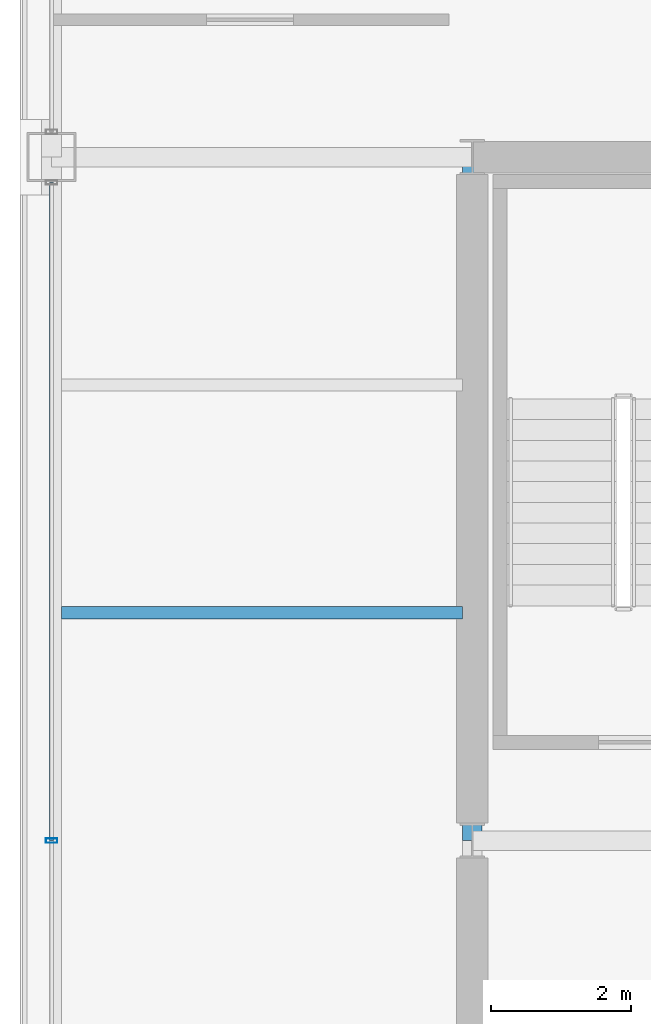
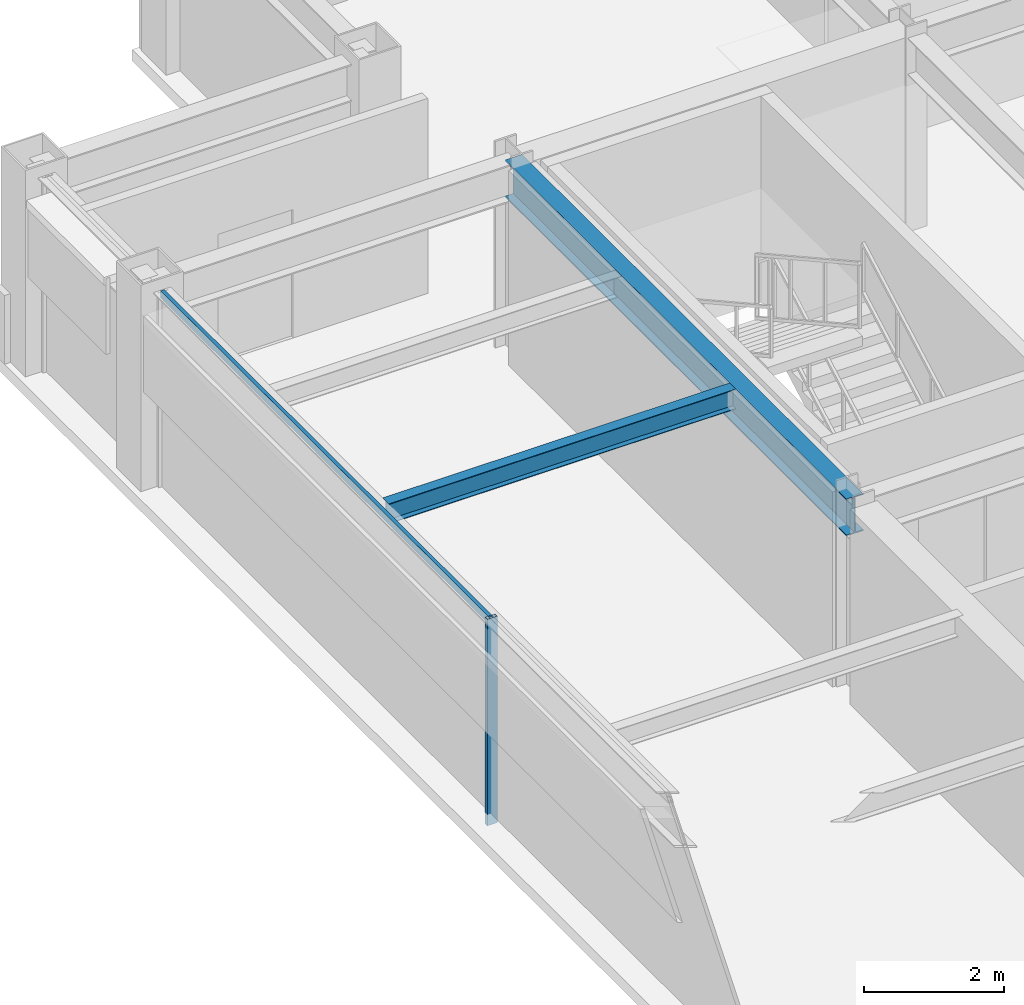
# One storey, part 8 of 30: 2 beams, 2 members, 1 element without a shape of its own.
"""IFC4 building model written with IfcOpenShell, lengths in metres."""

from ifc_helpers import new_model, si_unit, direction, frame, origin, origin_2d, place, context, subcontext, project, spatial, hollow_rectangle, i_section, extrude, material, layer, layer_set, material_profile, profile_set, type_object, element, aggregate, save


model = new_model("IFC4")

# Units and contexts
model_context = context("Model", 3, precision=1e-05, world=origin(), true_north=direction((0.0, 1.0)))
body_context = subcontext(model_context, "Body", "Model", "MODEL_VIEW")
ifc_project = project(units=[si_unit("LENGTHUNIT", "METRE"), si_unit("AREAUNIT", "SQUARE_METRE"), si_unit("VOLUMEUNIT", "CUBIC_METRE"), si_unit("PLANEANGLEUNIT", "RADIAN"), si_unit("MASSUNIT", "GRAM", prefix="KILO")], contexts=[model_context])

# Site, building, storey
site_placement = place(None, origin())
site = spatial("IfcSite", under=ifc_project, at=site_placement, CompositionType="ELEMENT")
building_placement = place(site_placement, origin())
building = spatial("IfcBuilding", under=site, at=building_placement, Name="Brelmoor Portico Tower", CompositionType="ELEMENT")
storey_placement = place(building_placement, frame((0.0, 0.0, 198.300048828125)))
storey = spatial("IfcBuildingStorey", under=building, at=storey_placement, Name="L52", CompositionType="ELEMENT", Elevation=198.300048828125)

# Beams
ifc_material_1 = material(Name="Steel Q355B", Category="steel")
ifc_material_profile_1 = material_profile(ifc_material_1, i_section(OverallWidth=0.175048828125, OverallDepth=0.35009765625, WebThickness=0.007080078125, FlangeThickness=0.010986328125, at=origin_2d()), Name="HN 350x175x7x11")
ifc_profile_set_1 = profile_set([ifc_material_profile_1], Name="Steel Q355B")
beam_type_1 = type_object("IfcBeamType", Name="BM-JS-350", PredefinedType="JOIST", material=ifc_profile_set_1)
beam_1_placement = place(storey_placement, frame((-20.409912109375, 3.25, 3.224853515625), z_axis=(1.0, 0.0, 0.0), x_axis=(0.0, 1.0, 0.0)))
element("IfcBeam", 1, at=beam_1_placement, inside=storey, type_object=beam_type_1, Name="L52 Secondary Wing Joist JS-W07", PredefinedType="JOIST", context=body_context, shape_type="SweptSolid", body=[
    extrude(i_section(OverallWidth=0.175048828125, OverallDepth=0.35009765625, WebThickness=0.007080078125, FlangeThickness=0.010986328125, at=origin_2d()), origin(), (0.0, 0.0, 1.0), 5.719970703125),
])
ifc_material_profile_2 = material_profile(ifc_material_1, i_section(OverallWidth=0.280029296875, OverallDepth=0.64990234375, WebThickness=0.012939453125, FlangeThickness=0.02197265625, at=origin_2d()), Name="HN 650x280x13x22")
ifc_profile_set_2 = profile_set([ifc_material_profile_2], Name="Steel Q355B")
beam_type_2 = type_object("IfcBeamType", Name="BM-PG-650", PredefinedType="BEAM", material=ifc_profile_set_2)
beam_2_placement = place(storey_placement, frame((-14.550048828125, 0.0, 3.074951171875), z_axis=(0.0, 1.0, 0.0), x_axis=(-1.0, 0.0, 0.0)))
element("IfcBeam", 2, at=beam_2_placement, inside=storey, type_object=beam_type_2, Name="L52 Primary Floor Girder PG-02", PredefinedType="BEAM", context=body_context, shape_type="SweptSolid", body=[
    extrude(i_section(OverallWidth=0.280029296875, OverallDepth=0.64990234375, WebThickness=0.012939453125, FlangeThickness=0.02197265625, at=origin_2d()), origin(), (0.0, 0.0, 1.0), 9.75),
])

# Curtain wall, members
ifc_material_2 = material(Name="Anodised Aluminium Alloy 6063-T6", Category="aluminium")
ifc_layer = layer(ifc_material_2, 0.179931640625)
ifc_layer_set = layer_set([ifc_layer], Name="Anodised Aluminium Alloy 6063-T6")
curtain_wall_type = type_object("IfcCurtainWallType", Name="CW-TOWER-Z3-XB", PredefinedType="NOTDEFINED", material=ifc_layer_set)
curtain_wall_placement = place(storey_placement, origin())
curtain_wall = element("IfcCurtainWall", 3, at=curtain_wall_placement, inside=storey, type_object=curtain_wall_type, Name="L52 Curtain Wall CW-L52-03-2", PredefinedType="NOTDEFINED")
ifc_material_profile_3 = material_profile(ifc_material_2, hollow_rectangle(XDim=0.06494140625, YDim=0.1650390625, WallThickness=0.00390625, at=origin_2d()), Name="ALU MULLION 65x165")
ifc_profile_set_3 = profile_set([ifc_material_profile_3], Name="Anodised Aluminium Alloy 6063-T6")
member_type_1 = type_object("IfcMemberType", Name="MB-CW-MULL-165", PredefinedType="MULLION", material=ifc_profile_set_3)
member_1_placement = place(storey_placement, frame((-20.550048828125, 0.0, -0.199951171875), z_axis=(0.0, 0.0, 1.0), x_axis=(0.0, 1.0, 0.0)))
member_1 = element("IfcMember", 4, at=member_1_placement, type_object=member_type_1, Name="CW-L52-03-2 Mullion 01", PredefinedType="MULLION", context=body_context, shape_type="SweptSolid", body=[
    extrude(hollow_rectangle(XDim=0.06494140625, YDim=0.1650390625, WallThickness=0.00390625, at=origin_2d()), origin(), (0.0, 0.0, 1.0), 3.599853515625),
])
ifc_material_profile_4 = material_profile(ifc_material_2, hollow_rectangle(XDim=0.06005859375, YDim=0.125, WallThickness=0.00341796875, at=origin_2d()), Name="ALU TRANSOM 60x125")
ifc_profile_set_4 = profile_set([ifc_material_profile_4], Name="Anodised Aluminium Alloy 6063-T6")
member_type_2 = type_object("IfcMemberType", Name="MB-CW-TRAN-125", PredefinedType="USERDEFINED", material=ifc_profile_set_4)
member_2_placement = place(storey_placement, frame((-20.550048828125, 0.0, 3.33740234375), z_axis=(0.0, 1.0, 0.0), x_axis=(-1.0, 0.0, 0.0)))
member_2 = element("IfcMember", 5, at=member_2_placement, type_object=member_type_2, Name="CW-L52-03-2 Transom 1-01", ObjectType="TRANSOM", PredefinedType="USERDEFINED", context=body_context, shape_type="SweptSolid", body=[
    extrude(hollow_rectangle(XDim=0.06005859375, YDim=0.125, WallThickness=0.00341796875, at=origin_2d()), origin(), (0.0, 0.0, 1.0), 9.389892578125),
])
aggregate(curtain_wall, [member_1, member_2])

save(model, "model.ifc")
